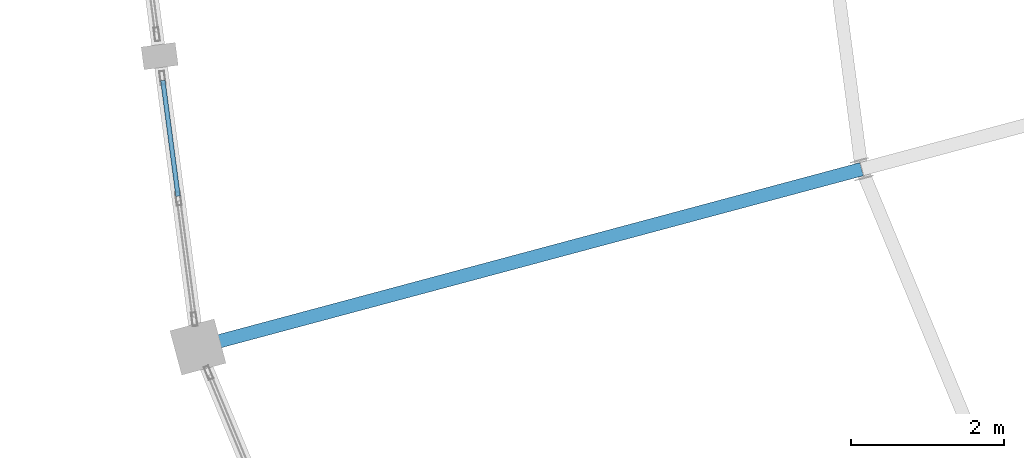
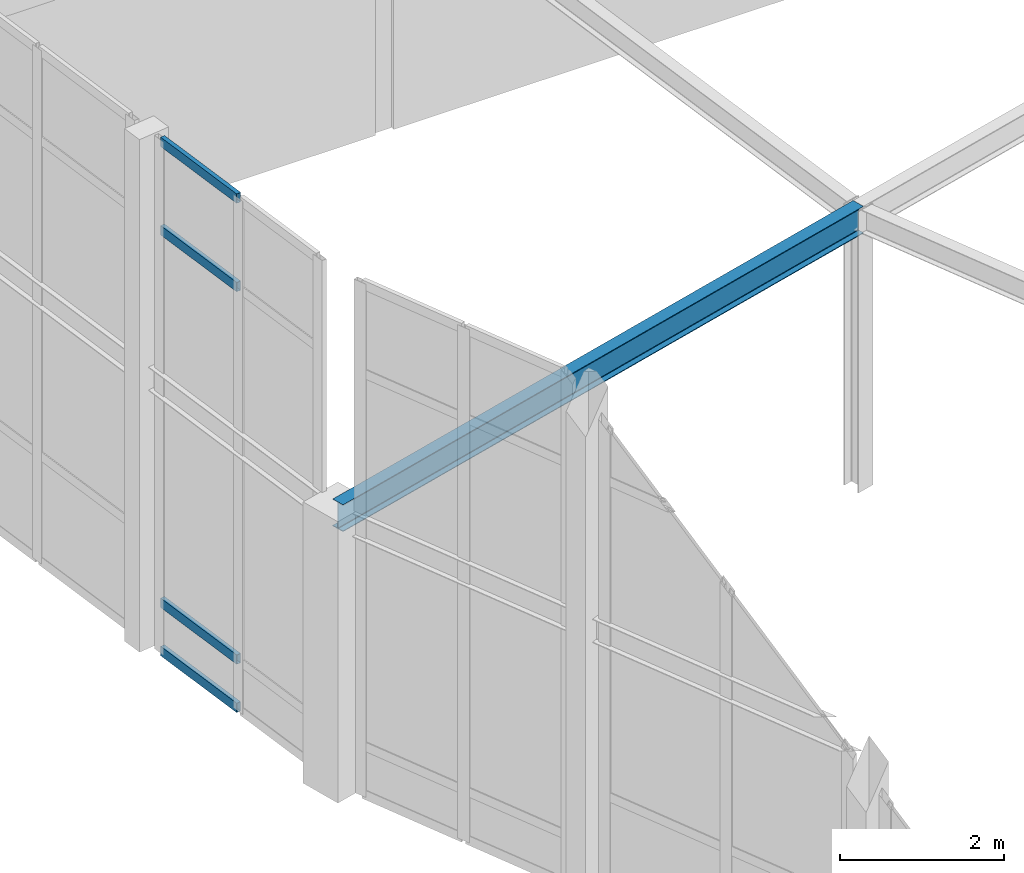
# One storey, part 26 of 93: 4 members, 1 beam, 1 element without a shape of its own.
"""IFC4 building model written with IfcOpenShell, lengths in metres."""

from ifc_helpers import new_model, si_unit, direction, frame, origin, origin_2d, place, context, subcontext, project, spatial, hollow_rectangle, i_section, extrude, material, material_profile, profile_set, type_object, element, aggregate, save


model = new_model("IFC4")

# Units and contexts
model_context = context("Model", 3, precision=1e-05, world=origin(), true_north=direction((0.0, 1.0)))
body_context = subcontext(model_context, "Body", "Model", "MODEL_VIEW")
ifc_project = project(units=[si_unit("LENGTHUNIT", "METRE"), si_unit("AREAUNIT", "SQUARE_METRE"), si_unit("VOLUMEUNIT", "CUBIC_METRE"), si_unit("PLANEANGLEUNIT", "RADIAN"), si_unit("MASSUNIT", "GRAM", prefix="KILO")], contexts=[model_context])

# Site, building, storey
site_placement = place(None, origin())
site = spatial("IfcSite", under=ifc_project, at=site_placement, CompositionType="ELEMENT")
building_placement = place(site_placement, origin())
building = spatial("IfcBuilding", under=site, at=building_placement, Name="Vondelvale Polytechnic", CompositionType="ELEMENT")
storey_placement = place(building_placement, frame((0.0, 0.0, 18.0)))
storey = spatial("IfcBuildingStorey", under=building, at=storey_placement, Name="L04", CompositionType="ELEMENT", Elevation=18.0)

# Beam
ifc_material_1 = material(Name="Steel 300PLUS (fy = 300 MPa)", Category="steel")
ifc_material_profile_1 = material_profile(ifc_material_1, i_section(OverallWidth=0.177978515625, OverallDepth=0.403076171875, WebThickness=0.007568359375, FlangeThickness=0.010986328125, FilletRadius=0.011474609375, at=origin_2d()), Name="410UB53.7")
ifc_profile_set_1 = profile_set([ifc_material_profile_1], Name="Steel 300PLUS (fy = 300 MPa)")
beam_type = type_object("IfcBeamType", Name="BM-UB410L", PredefinedType="BEAM", material=ifc_profile_set_1)
beam_placement = place(storey_placement, frame((66.2607421875, 62.423583984375, 3.99853515625), z_axis=(-0.965926740751, -0.25881563226, 0.0), x_axis=(0.25881563226, -0.965926740751, 0.0)))
element("IfcBeam", 1, at=beam_placement, inside=storey, type_object=beam_type, Name="L04 REG B-23", PredefinedType="BEAM", context=body_context, shape_type="SweptSolid", body=[
    extrude(i_section(OverallWidth=0.177978515625, OverallDepth=0.403076171875, WebThickness=0.007568359375, FlangeThickness=0.010986328125, FilletRadius=0.011474609375, at=origin_2d()), origin(), (0.0, 0.0, 1.0), 9.0),
])

# Curtain wall, members
ifc_material_2 = material(Name="Glulam GL18 structural Tasmanian oak (fb = 42 MPa)", Category="wood")
curtain_wall_type = type_object("IfcCurtainWallType", Name="CW-RING-OUTER", PredefinedType="NOTDEFINED", material=ifc_material_2)
curtain_wall_placement = place(storey_placement, origin())
curtain_wall = element("IfcCurtainWall", 2, at=curtain_wall_placement, inside=storey, type_object=curtain_wall_type, Name="L04 architectural curtain wall CW-04-274", PredefinedType="NOTDEFINED")
ifc_material_3 = material(Name="Anodised extruded aluminium 6063-T6", Category="aluminium")
ifc_material_profile_2 = material_profile(ifc_material_3, hollow_rectangle(XDim=0.06005859375, YDim=0.139892578125, WallThickness=0.00341796875, at=origin_2d()), Name="CW-TRN-140x60")
ifc_profile_set_2 = profile_set([ifc_material_profile_2], Name="Anodised extruded aluminium 6063-T6")
member_type = type_object("IfcMemberType", Name="CW-TRN-60x140", PredefinedType="USERDEFINED", material=ifc_profile_set_2)
member_1_placement = place(storey_placement, frame((57.107666015625, 63.5869140625, 0.030029296875), z_axis=(0.130532942165, -0.991443972703, 0.0), x_axis=(0.991443972703, 0.130532942165, 0.0)))
member_1 = element("IfcMember", 3, at=member_1_placement, type_object=member_type, Name="CW-04-274 transom 1.1", ObjectType="TRANSOM", PredefinedType="USERDEFINED", context=body_context, shape_type="SweptSolid", body=[
    extrude(hollow_rectangle(XDim=0.06005859375, YDim=0.139892578125, WallThickness=0.00341796875, at=origin_2d()), origin(), (0.0, 0.0, 1.0), 1.530029296875),
])
member_2_placement = place(storey_placement, frame((57.107666015625, 63.5869140625, 0.75), z_axis=(0.130532942165, -0.991443972703, 0.0), x_axis=(0.991443972703, 0.130532942165, 0.0)))
member_2 = element("IfcMember", 4, at=member_2_placement, type_object=member_type, Name="CW-04-274 transom 1.2", ObjectType="TRANSOM", PredefinedType="USERDEFINED", context=body_context, shape_type="SweptSolid", body=[
    extrude(hollow_rectangle(XDim=0.06005859375, YDim=0.139892578125, WallThickness=0.00341796875, at=origin_2d()), origin(), (0.0, 0.0, 1.0), 1.530029296875),
])
member_3_placement = place(storey_placement, frame((57.107666015625, 63.5869140625, 6.311279296875), z_axis=(0.130532942165, -0.991443972703, 0.0), x_axis=(0.991443972703, 0.130532942165, 0.0)))
member_3 = element("IfcMember", 5, at=member_3_placement, type_object=member_type, Name="CW-04-274 transom 1.3", ObjectType="TRANSOM", PredefinedType="USERDEFINED", context=body_context, shape_type="SweptSolid", body=[
    extrude(hollow_rectangle(XDim=0.06005859375, YDim=0.139892578125, WallThickness=0.00341796875, at=origin_2d()), origin(), (0.0, 0.0, 1.0), 1.530029296875),
])
member_4_placement = place(storey_placement, frame((57.107666015625, 63.5869140625, 7.63134765625), z_axis=(0.130532942165, -0.991443972703, 0.0), x_axis=(0.991443972703, 0.130532942165, 0.0)))
member_4 = element("IfcMember", 6, at=member_4_placement, type_object=member_type, Name="CW-04-274 transom 1.4", ObjectType="TRANSOM", PredefinedType="USERDEFINED", context=body_context, shape_type="SweptSolid", body=[
    extrude(hollow_rectangle(XDim=0.06005859375, YDim=0.139892578125, WallThickness=0.00341796875, at=origin_2d()), origin(), (0.0, 0.0, 1.0), 1.530029296875),
])
aggregate(curtain_wall, [member_1, member_2, member_3, member_4])

save(model, "model.ifc")
